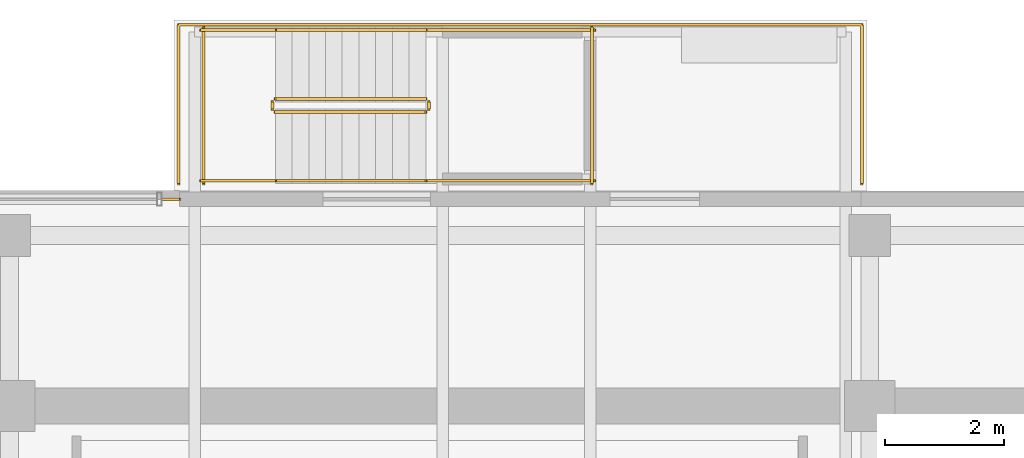
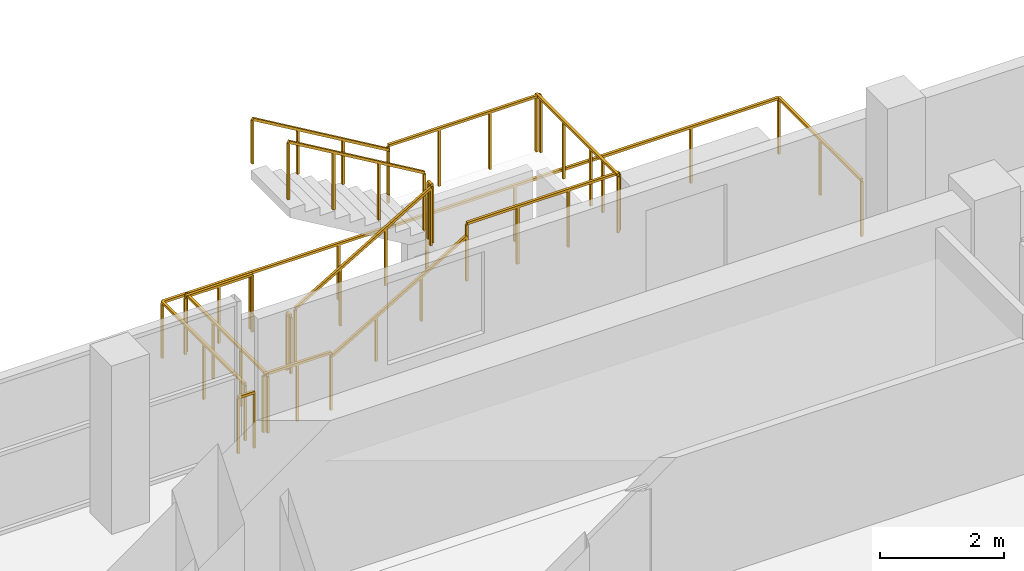
# One storey, part 23 of 24: 14 railings.
"""IFC4 building model written with IfcOpenShell, lengths in metres."""

from ifc_helpers import new_model, si_unit, direction, frame, origin, origin_2d, place, context, subcontext, project, spatial, rectangle, extrude, material, type_object, element, save


model = new_model("IFC4")

# Units and contexts
model_context = context("Model", 3, precision=1e-05, world=origin(), true_north=direction((0.0, 1.0)))
body_context = subcontext(model_context, "Body", "Model", "MODEL_VIEW")
ifc_project = project(units=[si_unit("LENGTHUNIT", "METRE"), si_unit("AREAUNIT", "SQUARE_METRE"), si_unit("VOLUMEUNIT", "CUBIC_METRE"), si_unit("PLANEANGLEUNIT", "RADIAN"), si_unit("MASSUNIT", "GRAM", prefix="KILO")], contexts=[model_context])

# Site, building, storey
site_placement = place(None, origin())
site = spatial("IfcSite", under=ifc_project, at=site_placement, CompositionType="ELEMENT")
building_placement = place(site_placement, origin())
building = spatial("IfcBuilding", under=site, at=building_placement, Name="Zarnakvel Exchange Tower", CompositionType="ELEMENT")
storey_placement = place(building_placement, frame((0.0, 0.0, 205.60009765625)))
storey = spatial("IfcBuildingStorey", under=building, at=storey_placement, Name="L57", CompositionType="ELEMENT", Elevation=205.60009765625)

# Railings
ifc_material_1 = material(Name="Architectural Bronze Anodised Aluminium", Category="aluminium")
railing_type_1 = type_object("IfcRailingType", Name="GR-02", PredefinedType="GUARDRAIL", material=ifc_material_1)
railing_1_placement = place(storey_placement, frame((-4.3701171875, 17.219970703125, 0.0)))
element("IfcRailing", 1, at=railing_1_placement, inside=storey, type_object=railing_type_1, Name="L57 Spiral Sky-Terrace Perimeter Guardrail", PredefinedType="GUARDRAIL", context=body_context, shape_type="SweptSolid", body=[
    extrude(rectangle(XDim=0.048095703125, YDim=0.048095703125, at=origin_2d()), frame((0.0, 0.0, 1.09619140625), z_axis=(0.0, 1.0, 0.0), x_axis=(-1.0, 0.0, 0.0)), (0.0, 0.0, 1.0), 2.659912109375),
    extrude(rectangle(XDim=0.048095703125, YDim=0.048095703125, at=origin_2d()), frame((0.0, 2.659912109375, 1.09619140625), z_axis=(1.0, 0.0, 0.0), x_axis=(0.0, 1.0, 0.0)), (0.0, 0.0, 1.0), 11.440185546875),
    extrude(rectangle(XDim=0.048095703125, YDim=0.048095703125, at=origin_2d()), frame((11.440185546875, 2.659912109375, 1.09619140625), z_axis=(0.0, -1.0, 0.0), x_axis=(1.0, 0.0, 0.0)), (0.0, 0.0, 1.0), 2.659912109375),
    extrude(rectangle(XDim=0.0419921875, YDim=0.0419921875, at=origin_2d()), origin(), (0.0, 0.0, 1.0), 1.072021484375),
    extrude(rectangle(XDim=0.0419921875, YDim=0.0419921875, at=origin_2d()), frame((0.0, 1.330078125, 0.0)), (0.0, 0.0, 1.0), 1.072021484375),
    extrude(rectangle(XDim=0.0419921875, YDim=0.0419921875, at=origin_2d()), frame((0.0, 2.659912109375, 0.0)), (0.0, 0.0, 1.0), 1.072021484375),
    extrude(rectangle(XDim=0.0419921875, YDim=0.0419921875, at=origin_2d()), frame((1.63427734375, 2.659912109375, 0.0)), (0.0, 0.0, 1.0), 1.072021484375),
    extrude(rectangle(XDim=0.0419921875, YDim=0.0419921875, at=origin_2d()), frame((3.2685546875, 2.659912109375, 0.0)), (0.0, 0.0, 1.0), 1.072021484375),
    extrude(rectangle(XDim=0.0419921875, YDim=0.0419921875, at=origin_2d()), frame((4.90283203125, 2.659912109375, 0.0)), (0.0, 0.0, 1.0), 1.072021484375),
    extrude(rectangle(XDim=0.0419921875, YDim=0.0419921875, at=origin_2d()), frame((6.537353515625, 2.659912109375, 0.0)), (0.0, 0.0, 1.0), 1.072021484375),
    extrude(rectangle(XDim=0.0419921875, YDim=0.0419921875, at=origin_2d()), frame((8.171630859375, 2.659912109375, 0.0)), (0.0, 0.0, 1.0), 1.072021484375),
    extrude(rectangle(XDim=0.0419921875, YDim=0.0419921875, at=origin_2d()), frame((9.805908203125, 2.659912109375, 0.0)), (0.0, 0.0, 1.0), 1.072021484375),
    extrude(rectangle(XDim=0.0419921875, YDim=0.0419921875, at=origin_2d()), frame((11.440185546875, 2.659912109375, 0.0)), (0.0, 0.0, 1.0), 1.072021484375),
    extrude(rectangle(XDim=0.0419921875, YDim=0.0419921875, at=origin_2d()), frame((11.440185546875, 1.330078125, 0.0)), (0.0, 0.0, 1.0), 1.072021484375),
    extrude(rectangle(XDim=0.0419921875, YDim=0.0419921875, at=origin_2d()), frame((11.440185546875, 0.0, 0.0)), (0.0, 0.0, 1.0), 1.072021484375),
])
railing_2_placement = place(storey_placement, frame((-4.64990234375, 16.9599609375, 0.0)))
element("IfcRailing", 2, at=railing_2_placement, inside=storey, type_object=railing_type_1, Name="L57 Corner Spandrel Balustrade #5", PredefinedType="GUARDRAIL", context=body_context, shape_type="SweptSolid", body=[
    extrude(rectangle(XDim=0.048095703125, YDim=0.048095703125, at=origin_2d()), frame((0.0, 0.0, 1.09619140625), z_axis=(1.0, 0.0, 0.0), x_axis=(0.0, 1.0, 0.0)), (0.0, 0.0, 1.0), 0.2998046875),
    extrude(rectangle(XDim=0.0419921875, YDim=0.0419921875, at=origin_2d()), origin(), (0.0, 0.0, 1.0), 1.072021484375),
    extrude(rectangle(XDim=0.0419921875, YDim=0.0419921875, at=origin_2d()), frame((0.2998046875, 0.0, 0.0)), (0.0, 0.0, 1.0), 1.072021484375),
])
ifc_material_2 = material(Name="Brushed Stainless Steel", Category="steel")
railing_type_2 = type_object("IfcRailingType", Name="HR-01", PredefinedType="HANDRAIL", material=ifc_material_2)
railing_3_placement = place(storey_placement, frame((-2.75, 17.27001953125, 0.164794921875)))
element("IfcRailing", 3, at=railing_3_placement, inside=storey, type_object=railing_type_2, Name="L57 ST-13 stair handrail 1", PredefinedType="HANDRAIL", context=body_context, shape_type="SweptSolid", body=[
    extrude(rectangle(XDim=0.048095703125, YDim=0.048095703125, at=origin_2d()), frame((0.0, 0.0, 0.8759765625), z_axis=(0.86152411907, 0.0, 0.507716645641), x_axis=(0.0, 1.0, 0.0)), (0.0, 0.0, 1.0), 2.925048828125),
    extrude(rectangle(XDim=0.0419921875, YDim=0.0419921875, at=origin_2d()), origin(), (0.0, 0.0, 1.0), 0.851806640625),
    extrude(rectangle(XDim=0.0419921875, YDim=0.0419921875, at=origin_2d()), frame((0.840087890625, 0.0, 0.4951171875)), (0.0, 0.0, 1.0), 0.851806640625),
    extrude(rectangle(XDim=0.0419921875, YDim=0.0419921875, at=origin_2d()), frame((1.679931640625, 0.0, 0.989990234375)), (0.0, 0.0, 1.0), 0.851806640625),
    extrude(rectangle(XDim=0.0419921875, YDim=0.0419921875, at=origin_2d()), frame((2.52001953125, 0.0, 1.485107421875)), (0.0, 0.0, 1.0), 0.851806640625),
])
railing_4_placement = place(storey_placement, frame((-0.22998046875, 19.7900390625, 1.81494140625)))
element("IfcRailing", 4, at=railing_4_placement, inside=storey, type_object=railing_type_2, Name="L57 ST-13 stair handrail 2", PredefinedType="HANDRAIL", context=body_context, shape_type="SweptSolid", body=[
    extrude(rectangle(XDim=0.048095703125, YDim=0.048095703125, at=origin_2d()), frame((0.0, 0.0, 0.8759765625), z_axis=(-0.861560626758, 0.0, 0.507654692109), x_axis=(0.0, -1.0, 0.0)), (0.0, 0.0, 1.0), 2.925048828125),
    extrude(rectangle(XDim=0.0419921875, YDim=0.0419921875, at=origin_2d()), origin(), (0.0, 0.0, 1.0), 0.851806640625),
    extrude(rectangle(XDim=0.0419921875, YDim=0.0419921875, at=origin_2d()), frame((-0.840087890625, 0.0, 0.494873046875)), (0.0, 0.0, 1.0), 0.851806640625),
    extrude(rectangle(XDim=0.0419921875, YDim=0.0419921875, at=origin_2d()), frame((-1.679931640625, 0.0, 0.989990234375)), (0.0, 0.0, 1.0), 0.851806640625),
    extrude(rectangle(XDim=0.0419921875, YDim=0.0419921875, at=origin_2d()), frame((-2.52001953125, 0.0, 1.48486328125)), (0.0, 0.0, 1.0), 0.851806640625),
])
railing_type_3 = type_object("IfcRailingType", Name="SG-01", PredefinedType="GUARDRAIL", material=ifc_material_1)
railing_5_placement = place(storey_placement, frame((-2.75, 18.419921875, 0.164794921875)))
element("IfcRailing", 5, at=railing_5_placement, inside=storey, type_object=railing_type_3, Name="L57 ST-13 stair guard 1", PredefinedType="GUARDRAIL", context=body_context, shape_type="SweptSolid", body=[
    extrude(rectangle(XDim=0.048095703125, YDim=0.048095703125, at=origin_2d()), frame((0.0, 0.0, 1.1259765625), z_axis=(0.86152411907, 0.0, 0.507716645641), x_axis=(0.0, 1.0, 0.0)), (0.0, 0.0, 1.0), 2.925048828125),
    extrude(rectangle(XDim=0.0419921875, YDim=0.0419921875, at=origin_2d()), origin(), (0.0, 0.0, 1.0), 1.101806640625),
    extrude(rectangle(XDim=0.0419921875, YDim=0.0419921875, at=origin_2d()), frame((0.840087890625, 0.0, 0.4951171875)), (0.0, 0.0, 1.0), 1.101806640625),
    extrude(rectangle(XDim=0.0419921875, YDim=0.0419921875, at=origin_2d()), frame((1.679931640625, 0.0, 0.989990234375)), (0.0, 0.0, 1.0), 1.101806640625),
    extrude(rectangle(XDim=0.0419921875, YDim=0.0419921875, at=origin_2d()), frame((2.52001953125, 0.0, 1.485107421875)), (0.0, 0.0, 1.0), 1.101806640625),
])
railing_6_placement = place(storey_placement, frame((-0.179931640625, 18.469970703125, 1.64990234375)))
element("IfcRailing", 6, at=railing_6_placement, inside=storey, type_object=railing_type_3, Name="L57 ST-13 stair guard 2", PredefinedType="GUARDRAIL", context=body_context, shape_type="SweptSolid", body=[
    extrude(rectangle(XDim=0.048095703125, YDim=0.048095703125, at=origin_2d()), frame((0.0, 0.0, 1.1259765625), z_axis=(0.0, 1.0, 0.0), x_axis=(-1.0, 0.0, 0.0)), (0.0, 0.0, 1.0), 0.1201171875),
    extrude(rectangle(XDim=0.0419921875, YDim=0.0419921875, at=origin_2d()), origin(), (0.0, 0.0, 1.0), 1.101806640625),
    extrude(rectangle(XDim=0.0419921875, YDim=0.0419921875, at=origin_2d()), frame((0.0, 0.1201171875, 0.0)), (0.0, 0.0, 1.0), 1.101806640625),
])
for number, where, name in (
    (7, (-0.22998046875, 17.27001953125, 1.64990234375), "L57 ST-13 stair guard 3"),
    (8, (-0.22998046875, 19.7900390625, 1.64990234375), "L57 ST-13 stair guard 4"),
):
    element("IfcRailing", number, at=place(storey_placement, frame(where)), inside=storey, type_object=railing_type_3, Name=name, PredefinedType="GUARDRAIL", context=body_context, shape_type="SweptSolid", body=[
        extrude(rectangle(XDim=0.048095703125, YDim=0.048095703125, at=origin_2d()), frame((0.0, 0.0, 1.1259765625), z_axis=(1.0, 0.0, 0.0), x_axis=(0.0, 1.0, 0.0)), (0.0, 0.0, 1.0), 2.830078125),
        extrude(rectangle(XDim=0.0419921875, YDim=0.0419921875, at=origin_2d()), origin(), (0.0, 0.0, 1.0), 1.101806640625),
        extrude(rectangle(XDim=0.0419921875, YDim=0.0419921875, at=origin_2d()), frame((0.943359375, 0.0, 0.0)), (0.0, 0.0, 1.0), 1.101806640625),
        extrude(rectangle(XDim=0.0419921875, YDim=0.0419921875, at=origin_2d()), frame((1.88671875, 0.0, 0.0)), (0.0, 0.0, 1.0), 1.101806640625),
        extrude(rectangle(XDim=0.0419921875, YDim=0.0419921875, at=origin_2d()), frame((2.830078125, 0.0, 0.0)), (0.0, 0.0, 1.0), 1.101806640625),
    ])
railing_7_placement = place(storey_placement, frame((2.550048828125, 17.219970703125, 1.64990234375)))
element("IfcRailing", 9, at=railing_7_placement, inside=storey, type_object=railing_type_3, Name="L57 ST-13 stair guard 5", PredefinedType="GUARDRAIL", context=body_context, shape_type="SweptSolid", body=[
    extrude(rectangle(XDim=0.048095703125, YDim=0.048095703125, at=origin_2d()), frame((0.0, 0.0, 1.1259765625), z_axis=(0.0, 1.0, 0.0), x_axis=(-1.0, 0.0, 0.0)), (0.0, 0.0, 1.0), 2.6201171875),
    extrude(rectangle(XDim=0.0419921875, YDim=0.0419921875, at=origin_2d()), origin(), (0.0, 0.0, 1.0), 1.101806640625),
    extrude(rectangle(XDim=0.0419921875, YDim=0.0419921875, at=origin_2d()), frame((0.0, 0.873291015625, 0.0)), (0.0, 0.0, 1.0), 1.101806640625),
    extrude(rectangle(XDim=0.0419921875, YDim=0.0419921875, at=origin_2d()), frame((0.0, 1.746826171875, 0.0)), (0.0, 0.0, 1.0), 1.101806640625),
    extrude(rectangle(XDim=0.0419921875, YDim=0.0419921875, at=origin_2d()), frame((0.0, 2.6201171875, 0.0)), (0.0, 0.0, 1.0), 1.101806640625),
])
railing_8_placement = place(storey_placement, frame((-0.22998046875, 18.639892578125, 1.81494140625)))
element("IfcRailing", 10, at=railing_8_placement, inside=storey, type_object=railing_type_3, Name="L57 ST-13 stair guard 6", PredefinedType="GUARDRAIL", context=body_context, shape_type="SweptSolid", body=[
    extrude(rectangle(XDim=0.048095703125, YDim=0.048095703125, at=origin_2d()), frame((0.0, 0.0, 1.1259765625), z_axis=(-0.861560626758, 0.0, 0.507654692109), x_axis=(0.0, -1.0, 0.0)), (0.0, 0.0, 1.0), 2.925048828125),
    extrude(rectangle(XDim=0.0419921875, YDim=0.0419921875, at=origin_2d()), origin(), (0.0, 0.0, 1.0), 1.101806640625),
    extrude(rectangle(XDim=0.0419921875, YDim=0.0419921875, at=origin_2d()), frame((-0.840087890625, 0.0, 0.494873046875)), (0.0, 0.0, 1.0), 1.101806640625),
    extrude(rectangle(XDim=0.0419921875, YDim=0.0419921875, at=origin_2d()), frame((-1.679931640625, 0.0, 0.989990234375)), (0.0, 0.0, 1.0), 1.101806640625),
    extrude(rectangle(XDim=0.0419921875, YDim=0.0419921875, at=origin_2d()), frame((-2.52001953125, 0.0, 1.48486328125)), (0.0, 0.0, 1.0), 1.101806640625),
])
railing_9_placement = place(storey_placement, frame((-2.800048828125, 18.469970703125, 0.0)))
element("IfcRailing", 11, at=railing_9_placement, inside=storey, type_object=railing_type_3, Name="L57 ST-13 stair guard 7", PredefinedType="GUARDRAIL", context=body_context, shape_type="SweptSolid", body=[
    extrude(rectangle(XDim=0.048095703125, YDim=0.048095703125, at=origin_2d()), frame((0.0, 0.0, 1.1259765625), z_axis=(0.0, 1.0, 0.0), x_axis=(-1.0, 0.0, 0.0)), (0.0, 0.0, 1.0), 0.1201171875),
    extrude(rectangle(XDim=0.0419921875, YDim=0.0419921875, at=origin_2d()), origin(), (0.0, 0.0, 1.0), 1.101806640625),
    extrude(rectangle(XDim=0.0419921875, YDim=0.0419921875, at=origin_2d()), frame((0.0, 0.1201171875, 0.0)), (0.0, 0.0, 1.0), 1.101806640625),
])
for number, where, name in (
    (12, (-4.0, 17.27001953125, 0.0), "L57 ST-13 stair guard 8"),
    (13, (-4.0, 19.7900390625, 0.0), "L57 ST-13 stair guard 9"),
):
    element("IfcRailing", number, at=place(storey_placement, frame(where)), inside=storey, type_object=railing_type_3, Name=name, PredefinedType="GUARDRAIL", context=body_context, shape_type="SweptSolid", body=[
        extrude(rectangle(XDim=0.048095703125, YDim=0.048095703125, at=origin_2d()), frame((0.0, 0.0, 1.1259765625), z_axis=(1.0, 0.0, 0.0), x_axis=(0.0, 1.0, 0.0)), (0.0, 0.0, 1.0), 1.25),
        extrude(rectangle(XDim=0.0419921875, YDim=0.0419921875, at=origin_2d()), origin(), (0.0, 0.0, 1.0), 1.101806640625),
        extrude(rectangle(XDim=0.0419921875, YDim=0.0419921875, at=origin_2d()), frame((0.625, 0.0, 0.0)), (0.0, 0.0, 1.0), 1.101806640625),
        extrude(rectangle(XDim=0.0419921875, YDim=0.0419921875, at=origin_2d()), frame((1.25, 0.0, 0.0)), (0.0, 0.0, 1.0), 1.101806640625),
    ])
railing_10_placement = place(storey_placement, frame((-3.949951171875, 17.219970703125, 0.0)))
element("IfcRailing", 14, at=railing_10_placement, inside=storey, type_object=railing_type_3, Name="L57 ST-13 stair guard 10", PredefinedType="GUARDRAIL", context=body_context, shape_type="SweptSolid", body=[
    extrude(rectangle(XDim=0.048095703125, YDim=0.048095703125, at=origin_2d()), frame((0.0, 0.0, 1.1259765625), z_axis=(0.0, 1.0, 0.0), x_axis=(-1.0, 0.0, 0.0)), (0.0, 0.0, 1.0), 2.6201171875),
    extrude(rectangle(XDim=0.0419921875, YDim=0.0419921875, at=origin_2d()), origin(), (0.0, 0.0, 1.0), 1.101806640625),
    extrude(rectangle(XDim=0.0419921875, YDim=0.0419921875, at=origin_2d()), frame((0.0, 0.873291015625, 0.0)), (0.0, 0.0, 1.0), 1.101806640625),
    extrude(rectangle(XDim=0.0419921875, YDim=0.0419921875, at=origin_2d()), frame((0.0, 1.746826171875, 0.0)), (0.0, 0.0, 1.0), 1.101806640625),
    extrude(rectangle(XDim=0.0419921875, YDim=0.0419921875, at=origin_2d()), frame((0.0, 2.6201171875, 0.0)), (0.0, 0.0, 1.0), 1.101806640625),
])

save(model, "model.ifc")
